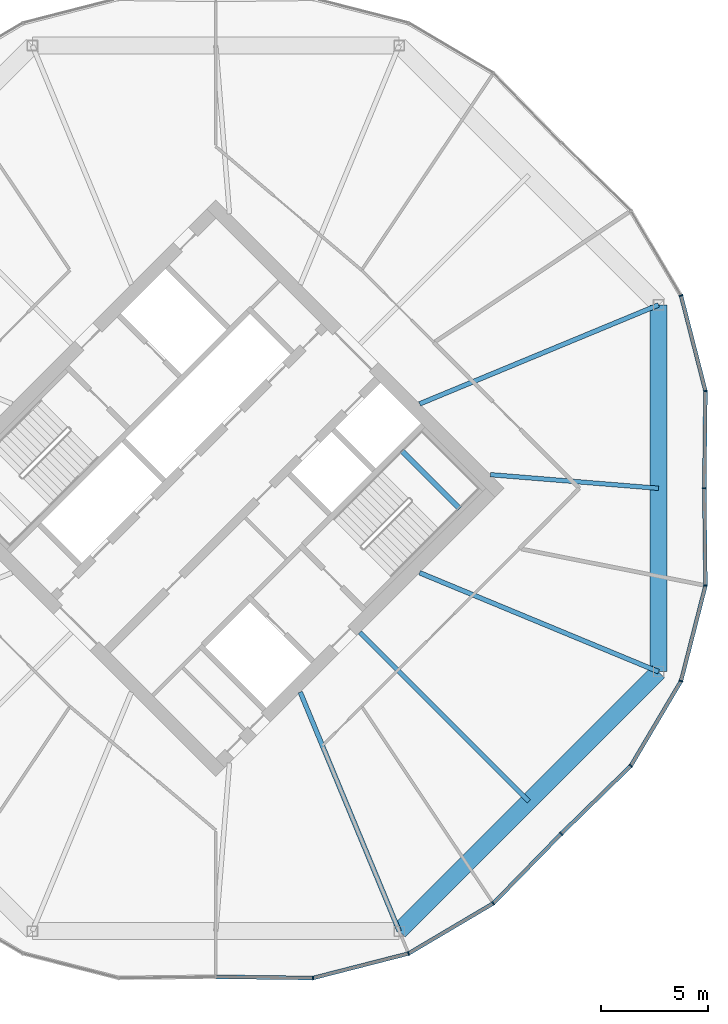
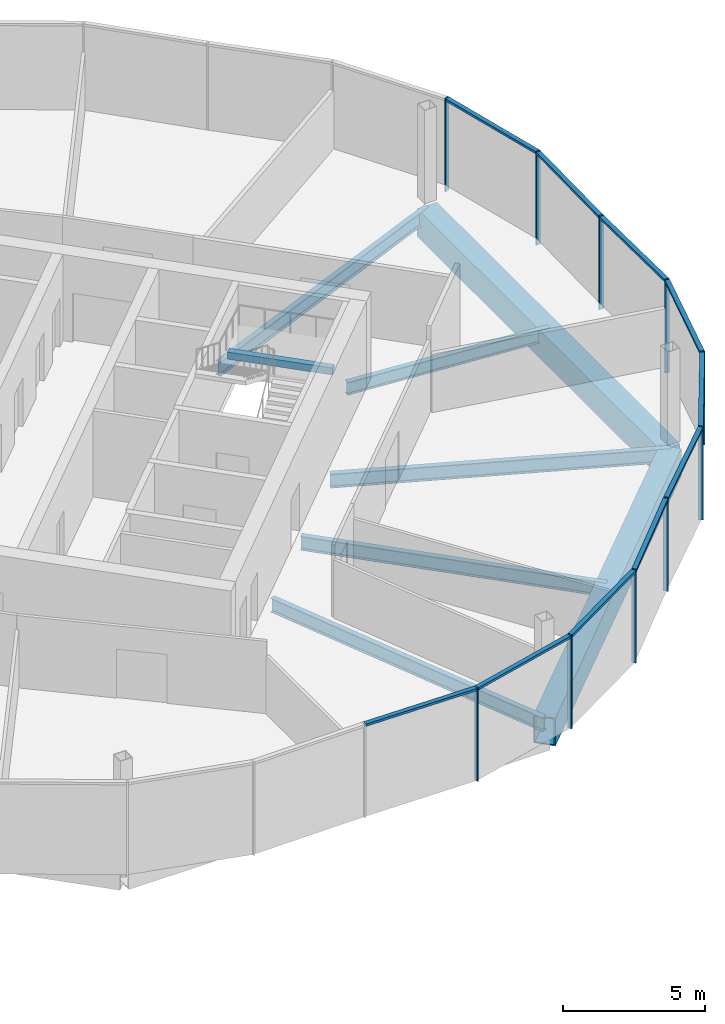
# One storey, part 14 of 25: 20 members, 8 beams, 3 elements without a shape of their own.
"""IFC4 building model written with IfcOpenShell, lengths in metres."""

from ifc_helpers import new_model, si_unit, direction, frame, origin, origin_2d, place, context, subcontext, project, spatial, rectangle, hollow_rectangle, i_section, extrude, material, material_profile, profile_set, type_object, element, aggregate, save


model = new_model("IFC4")

# Units and contexts
model_context = context("Model", 3, precision=1e-05, world=origin(), true_north=direction((0.0, 1.0)))
body_context = subcontext(model_context, "Body", "Model", "MODEL_VIEW")
ifc_project = project(units=[si_unit("LENGTHUNIT", "METRE"), si_unit("AREAUNIT", "SQUARE_METRE"), si_unit("VOLUMEUNIT", "CUBIC_METRE"), si_unit("PLANEANGLEUNIT", "RADIAN"), si_unit("MASSUNIT", "GRAM", prefix="KILO")], contexts=[model_context])

# Site, building, storey
site_placement = place(None, origin())
site = spatial("IfcSite", under=ifc_project, at=site_placement, CompositionType="ELEMENT")
building_placement = place(site_placement, origin())
building = spatial("IfcBuilding", under=site, at=building_placement, Name="Ogive Gate Towers", CompositionType="ELEMENT")
storey_placement = place(building_placement, frame((0.0, 0.0, 140.800048828125)))
storey = spatial("IfcBuildingStorey", under=building, at=storey_placement, Name="L33", CompositionType="ELEMENT", Elevation=140.800048828125)

# Beams
ifc_material_1 = material(Name="Steel SM460", Category="steel")
ifc_material_profile_1 = material_profile(ifc_material_1, hollow_rectangle(XDim=0.800048828125, YDim=1.199951171875, WallThickness=0.050048828125, at=origin_2d()), Name="BX 1200x800x50")
ifc_profile_set_1 = profile_set([ifc_material_profile_1], Name="Steel SM460")
beam_type_1 = type_object("IfcBeamType", Name="Edge girder BX 1200x800x50", PredefinedType="BEAM", material=ifc_profile_set_1)
beam_1_placement = place(storey_placement, frame((44.549072265625, -20.639404296875, -0.900146484375), z_axis=(0.707106781187, 0.707106781187, 0.0), x_axis=(-0.707106781187, 0.707106781187, 0.0)))
element("IfcBeam", 1, at=beam_1_placement, inside=storey, type_object=beam_type_1, Name="T2/L33/SBM019", PredefinedType="BEAM", context=body_context, shape_type="SweptSolid", body=[
    extrude(hollow_rectangle(XDim=0.800048828125, YDim=1.199951171875, WallThickness=0.050048828125, at=origin_2d()), origin(), (0.0, 0.0, 1.0), 17.098388671875),
])
beam_2_placement = place(storey_placement, frame((56.639404296875, -8.549072265625, -0.900146484375), z_axis=(0.0, 1.0, 0.0), x_axis=(-1.0, 0.0, 0.0)))
element("IfcBeam", 2, at=beam_2_placement, inside=storey, type_object=beam_type_1, Name="T2/L33/SBM020", PredefinedType="BEAM", context=body_context, shape_type="SweptSolid", body=[
    extrude(hollow_rectangle(XDim=0.800048828125, YDim=1.199951171875, WallThickness=0.050048828125, at=origin_2d()), origin(), (0.0, 0.0, 1.0), 17.09814453125),
])
ifc_material_2 = material(Name="Concrete C40/50", Category="concrete")
ifc_material_profile_2 = material_profile(ifc_material_2, rectangle(XDim=0.25, YDim=0.300048828125, at=origin_2d()), Name="RC 250x300")
ifc_profile_set_2 = profile_set([ifc_material_profile_2], Name="Concrete C40/50")
beam_type_2 = type_object("IfcBeamType", Name="Landing bearer RC 250x300", PredefinedType="BEAM", material=ifc_profile_set_2)
beam_3_placement = place(storey_placement, frame((47.35888671875, -0.94482421875, 1.64990234375), z_axis=(-0.707138693938, 0.707074866995, 0.0), x_axis=(-0.707074866995, -0.707138693938, 0.0)))
element("IfcBeam", 3, at=beam_3_placement, inside=storey, type_object=beam_type_2, Name="T2 L33 stair 2 landing bearer 1", PredefinedType="BEAM", context=body_context, shape_type="SweptSolid", body=[
    extrude(rectangle(XDim=0.25, YDim=0.300048828125, at=origin_2d()), origin(), (0.0, 0.0, 1.0), 3.824951171875),
])
ifc_material_3 = material(Name="Steel SM355", Category="steel")
ifc_material_profile_3 = material_profile(ifc_material_3, i_section(OverallWidth=0.2099609375, OverallDepth=0.550048828125, WebThickness=0.010986328125, FlangeThickness=0.01708984375, FilletRadius=0.02392578125, at=origin_2d()), Name="IPE 550")
ifc_profile_set_3 = profile_set([ifc_material_profile_3], Name="Steel SM355")
beam_type_3 = type_object("IfcBeamType", Name="Radial floor beam IPE 550", PredefinedType="BEAM", material=ifc_profile_set_3)
beam_4_placement = place(storey_placement, frame((48.798583984375, 0.636474609375, -0.574951171875), z_axis=(0.996721544062, -0.080908365468, 0.0), x_axis=(0.080908365468, 0.996721544062, 0.0)))
element("IfcBeam", 4, at=beam_4_placement, inside=storey, type_object=beam_type_3, Name="T2/L33/SBM008", PredefinedType="BEAM", context=body_context, shape_type="SweptSolid", body=[
    extrude(i_section(OverallWidth=0.2099609375, OverallDepth=0.550048828125, WebThickness=0.010986328125, FlangeThickness=0.01708984375, FilletRadius=0.02392578125, at=origin_2d()), origin(), (0.0, 0.0, 1.0), 7.86669921875),
])
ifc_material_profile_4 = material_profile(ifc_material_3, i_section(OverallWidth=0.219970703125, OverallDepth=0.60009765625, WebThickness=0.011962890625, FlangeThickness=0.01904296875, FilletRadius=0.02392578125, at=origin_2d()), Name="IPE 600")
ifc_profile_set_4 = profile_set([ifc_material_profile_4], Name="Steel SM355")
beam_type_4 = type_object("IfcBeamType", Name="Radial floor beam IPE 600", PredefinedType="BEAM", material=ifc_profile_set_4)
beam_5_placement = place(storey_placement, frame((39.93505859375, -9.5, -0.60009765625), z_axis=(0.382677863518, -0.923881839184, 0.0), x_axis=(0.923881839184, 0.382677863518, 0.0)))
element("IfcBeam", 5, at=beam_5_placement, inside=storey, type_object=beam_type_4, Name="T2/L33/SBM005", PredefinedType="BEAM", context=body_context, shape_type="SweptSolid", body=[
    extrude(i_section(OverallWidth=0.219970703125, OverallDepth=0.60009765625, WebThickness=0.011962890625, FlangeThickness=0.01904296875, FilletRadius=0.02392578125, at=origin_2d()), origin(), (0.0, 0.0, 1.0), 12.05712890625),
])
beam_6_placement = place(storey_placement, frame((42.717529296875, -6.717529296875, -0.60009765625), z_axis=(0.707106781187, -0.707106781187, 0.0), x_axis=(0.707106781187, 0.707106781187, 0.0)))
element("IfcBeam", 6, at=beam_6_placement, inside=storey, type_object=beam_type_4, Name="T2/L33/SBM006", PredefinedType="BEAM", context=body_context, shape_type="SweptSolid", body=[
    extrude(i_section(OverallWidth=0.219970703125, OverallDepth=0.60009765625, WebThickness=0.011962890625, FlangeThickness=0.01904296875, FilletRadius=0.02392578125, at=origin_2d()), origin(), (0.0, 0.0, 1.0), 11.139404296875),
])
for number, where, z_axis, x_axis, name in (
    (7, (45.5, -3.93505859375, -0.60009765625), (0.923881839184, -0.382677863518, 0.0), (0.382677863518, 0.923881839184, 0.0), "T2/L33/SBM007"),
    (8, (45.5, 3.93505859375, -0.60009765625), (0.923881839184, 0.382677863518, 0.0), (-0.382677863518, 0.923881839184, 0.0), "T2/L33/SBM009"),
):
    element("IfcBeam", number, at=place(storey_placement, frame(where, z_axis=z_axis, x_axis=x_axis)), inside=storey, type_object=beam_type_4, Name=name, PredefinedType="BEAM", context=body_context, shape_type="SweptSolid", body=[
        extrude(i_section(OverallWidth=0.219970703125, OverallDepth=0.60009765625, WebThickness=0.011962890625, FlangeThickness=0.01904296875, FilletRadius=0.02392578125, at=origin_2d()), origin(), (0.0, 0.0, 1.0), 12.05712890625),
    ])

# Curtain wall, members
ifc_material_4 = material(Name="Pale metal aluminium", Category="aluminium")
curtain_wall_type = type_object("IfcCurtainWallType", Name="Tower unitised wall, high zone", PredefinedType="NOTDEFINED", material=ifc_material_4)
curtain_wall_1_placement = place(storey_placement, origin())
curtain_wall_1 = element("IfcCurtainWall", 9, at=curtain_wall_1_placement, inside=storey, type_object=curtain_wall_type, Name="CW2 T2 ECW01", PredefinedType="NOTDEFINED")
ifc_material_profile_5 = material_profile(ifc_material_4, rectangle(XDim=0.179931640625, YDim=0.06005859375, at=origin_2d()), Name="60 x 180 aluminium box")
ifc_profile_set_5 = profile_set([ifc_material_profile_5], Name="Pale metal aluminium")
member_type_1 = type_object("IfcMemberType", Name="Tower unitised wall, high zone mullion 60 x 180", PredefinedType="MULLION", material=ifc_profile_set_5)
member_1_placement = place(storey_placement, frame((58.77001953125, 0.0, -0.300048828125), z_axis=(0.0, 0.0, 1.0), x_axis=(0.999927065729, -0.012077384797, 0.0)))
member_1 = element("IfcMember", 10, at=member_1_placement, type_object=member_type_1, Name="CW2 mullion", PredefinedType="MULLION", context=body_context, shape_type="SweptSolid", body=[
    extrude(rectangle(XDim=0.179931640625, YDim=0.06005859375, at=origin_2d()), origin(), (0.0, 0.0, 1.0), 4.0),
])
member_2_placement = place(storey_placement, frame((58.824951171875, 4.532958984375, -0.300048828125), z_axis=(0.0, 0.0, 1.0), x_axis=(0.992876367296, 0.119149147143, 0.0)))
member_2 = element("IfcMember", 11, at=member_2_placement, type_object=member_type_1, Name="CW2 mullion", PredefinedType="MULLION", context=body_context, shape_type="SweptSolid", body=[
    extrude(rectangle(XDim=0.179931640625, YDim=0.06005859375, at=origin_2d()), origin(), (0.0, 0.0, 1.0), 4.0),
])
member_3_placement = place(storey_placement, frame((57.684326171875, 8.98193359375, -0.300048828125), z_axis=(0.0, 0.0, 1.0), x_axis=(0.923879532511, 0.382683432365, 0.0)))
member_3 = element("IfcMember", 12, at=member_3_placement, type_object=member_type_1, Name="CW2 mullion", PredefinedType="MULLION", context=body_context, shape_type="SweptSolid", body=[
    extrude(rectangle(XDim=0.179931640625, YDim=0.06005859375, at=origin_2d()), origin(), (0.0, 0.0, 1.0), 4.0),
])

curtain_wall_2_placement = place(storey_placement, origin())
curtain_wall_2 = element("IfcCurtainWall", 13, at=curtain_wall_2_placement, inside=storey, type_object=curtain_wall_type, Name="CW2 T2 ECW07", PredefinedType="NOTDEFINED")
member_4_placement = place(storey_placement, frame((40.532958984375, -22.824951171875, -0.300048828125), z_axis=(0.0, 0.0, 1.0), x_axis=(0.119149147143, -0.992876367296, 0.0)))
member_4 = element("IfcMember", 14, at=member_4_placement, type_object=member_type_1, Name="CW2 mullion", PredefinedType="MULLION", context=body_context, shape_type="SweptSolid", body=[
    extrude(rectangle(XDim=0.179931640625, YDim=0.06005859375, at=origin_2d()), origin(), (0.0, 0.0, 1.0), 4.0),
])
member_5_placement = place(storey_placement, frame((44.98193359375, -21.684326171875, -0.300048828125), z_axis=(0.0, 0.0, 1.0), x_axis=(0.382683432365, -0.923879532511, 0.0)))
member_5 = element("IfcMember", 15, at=member_5_placement, type_object=member_type_1, Name="CW2 mullion", PredefinedType="MULLION", context=body_context, shape_type="SweptSolid", body=[
    extrude(rectangle(XDim=0.179931640625, YDim=0.06005859375, at=origin_2d()), origin(), (0.0, 0.0, 1.0), 4.0),
])
member_6_placement = place(storey_placement, frame((48.93408203125, -19.344970703125, -0.300048828125), z_axis=(0.0, 0.0, 1.0), x_axis=(0.617818442277, -0.786320782112, 0.0)))
member_6 = element("IfcMember", 16, at=member_6_placement, type_object=member_type_1, Name="CW2 mullion", PredefinedType="MULLION", context=body_context, shape_type="SweptSolid", body=[
    extrude(rectangle(XDim=0.179931640625, YDim=0.06005859375, at=origin_2d()), origin(), (0.0, 0.0, 1.0), 4.0),
])
member_7_placement = place(storey_placement, frame((52.1005859375, -16.100830078125, -0.300048828125), z_axis=(0.0, 0.0, 1.0), x_axis=(0.715595209557, -0.69851520818, 0.0)))
member_7 = element("IfcMember", 17, at=member_7_placement, type_object=member_type_1, Name="CW2 mullion", PredefinedType="MULLION", context=body_context, shape_type="SweptSolid", body=[
    extrude(rectangle(XDim=0.179931640625, YDim=0.06005859375, at=origin_2d()), origin(), (0.0, 0.0, 1.0), 4.0),
])

curtain_wall_3_placement = place(storey_placement, origin())
curtain_wall_3 = element("IfcCurtainWall", 18, at=curtain_wall_3_placement, inside=storey, type_object=curtain_wall_type, Name="CW2 T2 ECW08", PredefinedType="NOTDEFINED")
member_8_placement = place(storey_placement, frame((55.344970703125, -12.93408203125, -0.300048828125), z_axis=(0.0, 0.0, 1.0), x_axis=(0.786320782112, -0.617818442277, 0.0)))
member_8 = element("IfcMember", 19, at=member_8_placement, type_object=member_type_1, Name="CW2 mullion", PredefinedType="MULLION", context=body_context, shape_type="SweptSolid", body=[
    extrude(rectangle(XDim=0.179931640625, YDim=0.06005859375, at=origin_2d()), origin(), (0.0, 0.0, 1.0), 4.0),
])
member_9_placement = place(storey_placement, frame((57.684326171875, -8.98193359375, -0.300048828125), z_axis=(0.0, 0.0, 1.0), x_axis=(0.923879532511, -0.382683432365, 0.0)))
member_9 = element("IfcMember", 20, at=member_9_placement, type_object=member_type_1, Name="CW2 mullion", PredefinedType="MULLION", context=body_context, shape_type="SweptSolid", body=[
    extrude(rectangle(XDim=0.179931640625, YDim=0.06005859375, at=origin_2d()), origin(), (0.0, 0.0, 1.0), 4.0),
])
member_10_placement = place(storey_placement, frame((58.824951171875, -4.532958984375, -0.300048828125), z_axis=(0.0, 0.0, 1.0), x_axis=(0.992876367296, -0.119149147143, 0.0)))
member_10 = element("IfcMember", 21, at=member_10_placement, type_object=member_type_1, Name="CW2 mullion", PredefinedType="MULLION", context=body_context, shape_type="SweptSolid", body=[
    extrude(rectangle(XDim=0.179931640625, YDim=0.06005859375, at=origin_2d()), origin(), (0.0, 0.0, 1.0), 4.0),
])

# Member
ifc_material_profile_6 = material_profile(ifc_material_4, rectangle(XDim=0.179931640625, YDim=0.10009765625, at=origin_2d()), Name="100 x 180 aluminium box")
ifc_profile_set_6 = profile_set([ifc_material_profile_6], Name="Pale metal aluminium")
member_type_2 = type_object("IfcMemberType", Name="Tower unitised wall, high zone transom 100 x 180", PredefinedType="USERDEFINED", material=ifc_profile_set_6)
member_11_placement = place(storey_placement, frame((58.7705078125, 0.030029296875, 3.64990234375), z_axis=(0.012057834543, 0.999927301671, 0.0), x_axis=(-0.999927301671, 0.012057834543, 0.0)))
member_11 = element("IfcMember", 22, at=member_11_placement, type_object=member_type_2, Name="CW2 transom", ObjectType="TRANSOM", PredefinedType="USERDEFINED", context=body_context, shape_type="SweptSolid", body=[
    extrude(rectangle(XDim=0.179931640625, YDim=0.10009765625, at=origin_2d()), origin(), (0.0, 0.0, 1.0), 4.474609375),
])

member_12_placement = place(storey_placement, frame((58.817626953125, 4.560791015625, 3.64990234375), z_axis=(-0.248306711985, 0.968681463012, 0.0), x_axis=(-0.968681463012, -0.248306711985, 0.0)))
member_12 = element("IfcMember", 23, at=member_12_placement, type_object=member_type_2, Name="CW2 transom", ObjectType="TRANSOM", PredefinedType="USERDEFINED", context=body_context, shape_type="SweptSolid", body=[
    extrude(rectangle(XDim=0.179931640625, YDim=0.10009765625, at=origin_2d()), origin(), (0.0, 0.0, 1.0), 4.53564453125),
])

aggregate(curtain_wall_1, [member_1, member_2, member_11, member_3, member_12])

member_13_placement = place(storey_placement, frame((36.030029296875, -22.7705078125, 3.64990234375), z_axis=(0.999927301671, -0.012057834543, 0.0), x_axis=(0.012057834543, 0.999927301671, 0.0)))
member_13 = element("IfcMember", 24, at=member_13_placement, type_object=member_type_2, Name="CW2 transom", ObjectType="TRANSOM", PredefinedType="USERDEFINED", context=body_context, shape_type="SweptSolid", body=[
    extrude(rectangle(XDim=0.179931640625, YDim=0.10009765625, at=origin_2d()), origin(), (0.0, 0.0, 1.0), 4.474609375),
])

member_14_placement = place(storey_placement, frame((40.560791015625, -22.817626953125, 3.64990234375), z_axis=(0.968681463012, 0.248306711985, 0.0), x_axis=(-0.248306711985, 0.968681463012, 0.0)))
member_14 = element("IfcMember", 25, at=member_14_placement, type_object=member_type_2, Name="CW2 transom", ObjectType="TRANSOM", PredefinedType="USERDEFINED", context=body_context, shape_type="SweptSolid", body=[
    extrude(rectangle(XDim=0.179931640625, YDim=0.10009765625, at=origin_2d()), origin(), (0.0, 0.0, 1.0), 4.53564453125),
])

member_15_placement = place(storey_placement, frame((45.006591796875, -21.669677734375, 3.64990234375), z_axis=(0.860555494725, 0.509356692799, 0.0), x_axis=(-0.509356692799, 0.860555494725, 0.0)))
member_15 = element("IfcMember", 26, at=member_15_placement, type_object=member_type_2, Name="CW2 transom", ObjectType="TRANSOM", PredefinedType="USERDEFINED", context=body_context, shape_type="SweptSolid", body=[
    extrude(rectangle(XDim=0.179931640625, YDim=0.10009765625, at=origin_2d()), origin(), (0.0, 0.0, 1.0), 4.53515625),
])

member_16_placement = place(storey_placement, frame((48.9541015625, -19.32421875, 3.64990234375), z_axis=(0.698544041781, 0.715567063029, 0.0), x_axis=(-0.715567063029, 0.698544041781, 0.0)))
member_16 = element("IfcMember", 27, at=member_16_placement, type_object=member_type_2, Name="CW2 transom", ObjectType="TRANSOM", PredefinedType="USERDEFINED", context=body_context, shape_type="SweptSolid", body=[
    extrude(rectangle(XDim=0.179931640625, YDim=0.10009765625, at=origin_2d()), origin(), (0.0, 0.0, 1.0), 4.474609375),
])

aggregate(curtain_wall_2, [member_4, member_13, member_5, member_14, member_6, member_15, member_7, member_16])

member_17_placement = place(storey_placement, frame((52.122314453125, -16.079833984375, 3.64990234375), z_axis=(0.715567063029, 0.698544041781, 0.0), x_axis=(-0.698544041781, 0.715567063029, 0.0)))
member_17 = element("IfcMember", 28, at=member_17_placement, type_object=member_type_2, Name="CW2 transom", ObjectType="TRANSOM", PredefinedType="USERDEFINED", context=body_context, shape_type="SweptSolid", body=[
    extrude(rectangle(XDim=0.179931640625, YDim=0.10009765625, at=origin_2d()), origin(), (0.0, 0.0, 1.0), 4.474609375),
])

member_18_placement = place(storey_placement, frame((55.359619140625, -12.909423828125, 3.64990234375), z_axis=(0.509356692799, 0.860555494725, 0.0), x_axis=(-0.860555494725, 0.509356692799, 0.0)))
member_18 = element("IfcMember", 29, at=member_18_placement, type_object=member_type_2, Name="CW2 transom", ObjectType="TRANSOM", PredefinedType="USERDEFINED", context=body_context, shape_type="SweptSolid", body=[
    extrude(rectangle(XDim=0.179931640625, YDim=0.10009765625, at=origin_2d()), origin(), (0.0, 0.0, 1.0), 4.53515625),
])

member_19_placement = place(storey_placement, frame((57.69140625, -8.954345703125, 3.64990234375), z_axis=(0.248306711985, 0.968681463012, 0.0), x_axis=(-0.968681463012, 0.248306711985, 0.0)))
member_19 = element("IfcMember", 30, at=member_19_placement, type_object=member_type_2, Name="CW2 transom", ObjectType="TRANSOM", PredefinedType="USERDEFINED", context=body_context, shape_type="SweptSolid", body=[
    extrude(rectangle(XDim=0.179931640625, YDim=0.10009765625, at=origin_2d()), origin(), (0.0, 0.0, 1.0), 4.53564453125),
])

member_20_placement = place(storey_placement, frame((58.824462890625, -4.50439453125, 3.64990234375), z_axis=(-0.012057834543, 0.999927301671, 0.0), x_axis=(-0.999927301671, -0.012057834543, 0.0)))
member_20 = element("IfcMember", 31, at=member_20_placement, type_object=member_type_2, Name="CW2 transom", ObjectType="TRANSOM", PredefinedType="USERDEFINED", context=body_context, shape_type="SweptSolid", body=[
    extrude(rectangle(XDim=0.179931640625, YDim=0.10009765625, at=origin_2d()), origin(), (0.0, 0.0, 1.0), 4.474609375),
])

aggregate(curtain_wall_3, [member_8, member_17, member_9, member_18, member_10, member_19, member_20])

save(model, "model.ifc")
